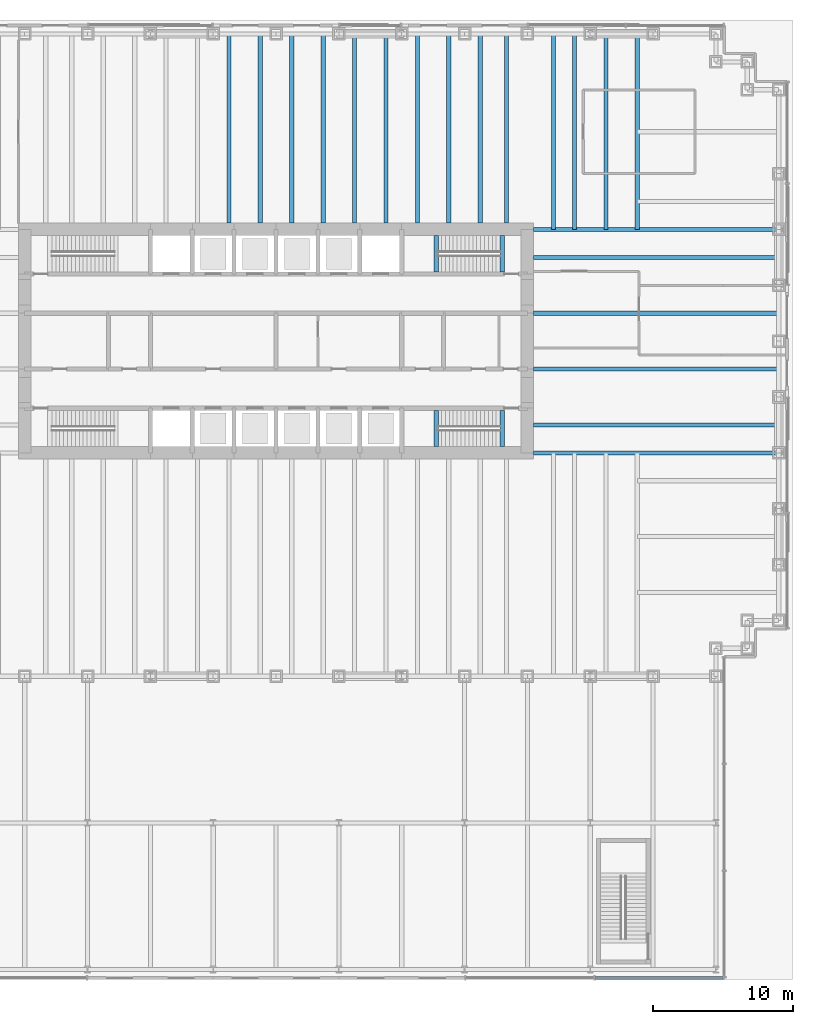
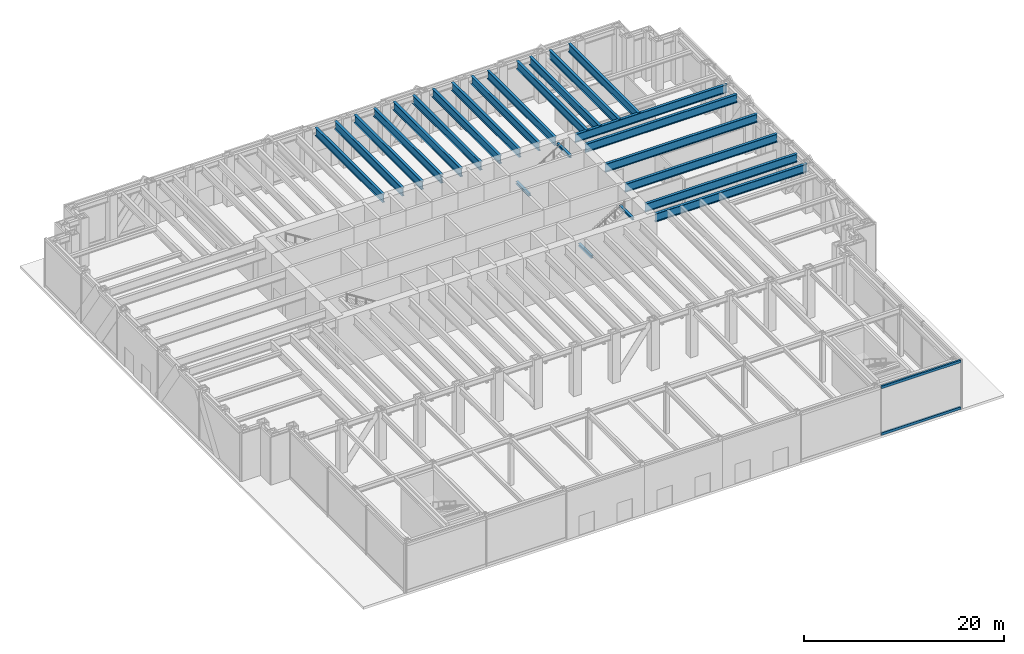
# One storey, part 5 of 17: 24 beams, 2 members, 1 element without a shape of its own.
"""IFC4 building model written with IfcOpenShell, lengths in metres."""

from ifc_helpers import new_model, si_unit, direction, frame, origin, origin_2d, place, context, subcontext, project, spatial, rectangle, i_section, extrude, material, material_profile, profile_set, type_object, element, aggregate, save


model = new_model("IFC4")

# Units and contexts
model_context = context("Model", 3, precision=1e-05, world=origin(), true_north=direction((0.0, 1.0)))
body_context = subcontext(model_context, "Body", "Model", "MODEL_VIEW")
ifc_project = project(units=[si_unit("LENGTHUNIT", "METRE"), si_unit("AREAUNIT", "SQUARE_METRE"), si_unit("VOLUMEUNIT", "CUBIC_METRE"), si_unit("PLANEANGLEUNIT", "RADIAN"), si_unit("MASSUNIT", "GRAM", prefix="KILO")], contexts=[model_context])

# Site, building, storey
site_placement = place(None, origin())
site = spatial("IfcSite", under=ifc_project, at=site_placement, CompositionType="ELEMENT")
building_placement = place(site_placement, origin())
building = spatial("IfcBuilding", under=site, at=building_placement, Name="Rheinbord Bourse Tower", CompositionType="ELEMENT")
storey_placement = place(building_placement, origin())
storey = spatial("IfcBuildingStorey", under=building, at=storey_placement, Name="L00", CompositionType="ELEMENT", Elevation=0.0)

# Curtain wall, members
ifc_material_1 = material(Name="Dark glass and black aluminium", Category="aluminium")
curtain_wall_type = type_object("IfcCurtainWallType", Name="CW4 DARK GLASS CURTAIN WALL", PredefinedType="USERDEFINED", material=ifc_material_1)
curtain_wall_placement = place(storey_placement, origin())
curtain_wall = element("IfcCurtainWall", 1, at=curtain_wall_placement, inside=storey, type_object=curtain_wall_type, Name="Curtain wall CW4 S L00", ObjectType="UNITISED CURTAIN WALL", PredefinedType="USERDEFINED")
ifc_material_2 = material(Name="Black anodised aluminium", Category="aluminium")
ifc_material_profile_1 = material_profile(ifc_material_2, rectangle(XDim=0.199951171875, YDim=0.300048828125, at=origin_2d()), Name="CW4 TRANSOM 300x200")
ifc_profile_set_1 = profile_set([ifc_material_profile_1], Name="Black anodised aluminium")
member_type = type_object("IfcMemberType", Name="CW4 BLACK TRANSOM", PredefinedType="USERDEFINED", material=ifc_profile_set_1)
member_1_placement = place(storey_placement, frame((58.844970703125, -21.60009765625, 0.14990234375), z_axis=(1.0, 0.0, 0.0), x_axis=(0.0, 1.0, 0.0)))
member_1 = element("IfcMember", 2, at=member_1_placement, type_object=member_type, Name="CW4 transom 2.1", ObjectType="TRANSOM", PredefinedType="USERDEFINED", context=body_context, shape_type="SweptSolid", body=[
    extrude(rectangle(XDim=0.199951171875, YDim=0.300048828125, at=origin_2d()), origin(), (0.0, 0.0, 1.0), 9.1650390625),
])
member_2_placement = place(storey_placement, frame((58.844970703125, -21.60009765625, 5.85009765625), z_axis=(1.0, 0.0, 0.0), x_axis=(0.0, 1.0, 0.0)))
member_2 = element("IfcMember", 3, at=member_2_placement, type_object=member_type, Name="CW4 transom 2.2", ObjectType="TRANSOM", PredefinedType="USERDEFINED", context=body_context, shape_type="SweptSolid", body=[
    extrude(rectangle(XDim=0.199951171875, YDim=0.300048828125, at=origin_2d()), origin(), (0.0, 0.0, 1.0), 9.1650390625),
])
aggregate(curtain_wall, [member_1, member_2])

# Beams
ifc_material_3 = material(Name="Steel S460", Category="steel")
ifc_material_profile_2 = material_profile(ifc_material_3, i_section(OverallWidth=0.302001953125, OverallDepth=1.008056640625, WebThickness=0.02099609375, FlangeThickness=0.0400390625, at=origin_2d()), Name="HEM 1000")
ifc_profile_set_2 = profile_set([ifc_material_profile_2], Name="Steel S460")
beam_type_1 = type_object("IfcBeamType", Name="END BEAM HEM 1000", PredefinedType="BEAM", material=ifc_profile_set_2)
for number, where, z_axis, x_axis, name in (
    (4, (54.449951171875, 18.0, 5.31591796875), (1.0, 0.0, 0.0), (0.0, 1.0, 0.0), "End beam east 18 L01"),
    (5, (54.449951171875, 22.0, 5.31591796875), (1.0, 0.0, 0.0), (0.0, 1.0, 0.0), "End beam east 22 L01"),
    (6, (54.449951171875, 26.0, 5.31591796875), (1.0, 0.0, 0.0), (0.0, 1.0, 0.0), "End beam east 26 L01"),
    (7, (54.449951171875, 30.0, 5.31591796875), (1.0, 0.0, 0.0), (0.0, 1.0, 0.0), "End beam east 30 L01"),
):
    element("IfcBeam", number, at=place(storey_placement, frame(where, z_axis=z_axis, x_axis=x_axis)), inside=storey, type_object=beam_type_1, Name=name, PredefinedType="BEAM", context=body_context, shape_type="SweptSolid", body=[
        extrude(i_section(OverallWidth=0.302001953125, OverallDepth=1.008056640625, WebThickness=0.02099609375, FlangeThickness=0.0400390625, at=origin_2d()), origin(), (0.0, 0.0, 1.0), 17.550048828125),
    ])
ifc_material_4 = material(Name="Steel S460", Category="steel")
ifc_material_profile_3 = material_profile(ifc_material_4, i_section(OverallWidth=0.302001953125, OverallDepth=1.008056640625, WebThickness=0.02099609375, FlangeThickness=0.0400390625, at=origin_2d()), Name="HEM 1000")
ifc_profile_set_3 = profile_set([ifc_material_profile_3], Name="Steel S460")
beam_type_2 = type_object("IfcBeamType", Name="FLOOR BEAM HEM 1000", PredefinedType="BEAM", material=ifc_profile_set_3)
for number, where, z_axis, x_axis, name in (
    (8, (32.625, 46.0, 5.31591796875), (0.0, -1.0, 0.0), (1.0, 0.0, 0.0), "Floor beam N-31.5a L01"),
    (9, (34.875, 46.0, 5.31591796875), (0.0, -1.0, 0.0), (1.0, 0.0, 0.0), "Floor beam N-31.5b L01"),
    (10, (37.125, 46.0, 5.31591796875), (0.0, -1.0, 0.0), (1.0, 0.0, 0.0), "Floor beam N-36a L01"),
    (11, (39.375, 46.0, 5.31591796875), (0.0, -1.0, 0.0), (1.0, 0.0, 0.0), "Floor beam N-36b L01"),
    (12, (41.625, 46.0, 5.31591796875), (0.0, -1.0, 0.0), (1.0, 0.0, 0.0), "Floor beam N-40.5a L01"),
    (13, (43.875, 46.0, 5.31591796875), (0.0, -1.0, 0.0), (1.0, 0.0, 0.0), "Floor beam N-40.5b L01"),
    (14, (46.125, 46.0, 5.31591796875), (0.0, -1.0, 0.0), (1.0, 0.0, 0.0), "Floor beam N-45a L01"),
    (15, (48.375, 46.0, 5.31591796875), (0.0, -1.0, 0.0), (1.0, 0.0, 0.0), "Floor beam N-45b L01"),
    (16, (50.625, 46.0, 5.31591796875), (0.0, -1.0, 0.0), (1.0, 0.0, 0.0), "Floor beam N-49.5a L01"),
    (17, (52.5, 46.0, 5.31591796875), (0.0, -1.0, 0.0), (1.0, 0.0, 0.0), "Floor beam N-49.5b L01"),
):
    element("IfcBeam", number, at=place(storey_placement, frame(where, z_axis=z_axis, x_axis=x_axis)), inside=storey, type_object=beam_type_2, Name=name, PredefinedType="BEAM", context=body_context, shape_type="SweptSolid", body=[
        extrude(i_section(OverallWidth=0.302001953125, OverallDepth=1.008056640625, WebThickness=0.02099609375, FlangeThickness=0.0400390625, at=origin_2d()), origin(), (0.0, 0.0, 1.0), 13.550048828125),
    ])
for number, where, z_axis, x_axis, name in (
    (18, (55.875, 46.0, 5.31591796875), (0.0, -1.0, 0.0), (1.0, 0.0, 0.0), "Floor beam N-54a L01"),
    (19, (57.375, 46.0, 5.31591796875), (0.0, -1.0, 0.0), (1.0, 0.0, 0.0), "Floor beam N-54b L01"),
    (20, (59.625, 46.0, 5.31591796875), (0.0, -1.0, 0.0), (1.0, 0.0, 0.0), "Floor beam N-58.5a L01"),
    (21, (61.875, 46.0, 5.31591796875), (0.0, -1.0, 0.0), (1.0, 0.0, 0.0), "Floor beam N-58.5b L01"),
):
    element("IfcBeam", number, at=place(storey_placement, frame(where, z_axis=z_axis, x_axis=x_axis)), inside=storey, type_object=beam_type_2, Name=name, PredefinedType="BEAM", context=body_context, shape_type="SweptSolid", body=[
        extrude(i_section(OverallWidth=0.302001953125, OverallDepth=1.008056640625, WebThickness=0.02099609375, FlangeThickness=0.0400390625, at=origin_2d()), origin(), (0.0, 0.0, 1.0), 14.0),
    ])
ifc_material_5 = material(Name="Steel S460", Category="steel")
ifc_material_profile_4 = material_profile(ifc_material_5, i_section(OverallWidth=0.302001953125, OverallDepth=1.008056640625, WebThickness=0.02099609375, FlangeThickness=0.0400390625, at=origin_2d()), Name="HEM 1000")
ifc_profile_set_4 = profile_set([ifc_material_profile_4], Name="Steel S460")
beam_type_3 = type_object("IfcBeamType", Name="GIRDER HEM 1000", PredefinedType="BEAM", material=ifc_profile_set_4)
for number, where, z_axis, x_axis, name in (
    (22, (54.449951171875, 16.0, 5.31591796875), (1.0, 0.0, 0.0), (0.0, 1.0, 0.0), "Girder east 16 L01"),
    (23, (54.449951171875, 32.0, 5.31591796875), (1.0, 0.0, 0.0), (0.0, 1.0, 0.0), "Girder east 32 L01"),
):
    element("IfcBeam", number, at=place(storey_placement, frame(where, z_axis=z_axis, x_axis=x_axis)), inside=storey, type_object=beam_type_3, Name=name, PredefinedType="BEAM", context=body_context, shape_type="SweptSolid", body=[
        extrude(i_section(OverallWidth=0.302001953125, OverallDepth=1.008056640625, WebThickness=0.02099609375, FlangeThickness=0.0400390625, at=origin_2d()), origin(), (0.0, 0.0, 1.0), 17.550048828125),
    ])
ifc_material_6 = material(Name="Steel S460", Category="steel")
ifc_material_profile_5 = material_profile(ifc_material_6, i_section(OverallWidth=0.300048828125, OverallDepth=0.300048828125, WebThickness=0.010986328125, FlangeThickness=0.01904296875, at=origin_2d()), Name="HEB 300")
ifc_profile_set_5 = profile_set([ifc_material_profile_5], Name="Steel S460")
beam_type_4 = type_object("IfcBeamType", Name="LANDING TRIMMER HEB 300", PredefinedType="BEAM", material=ifc_profile_set_5)
for number, where, z_axis, x_axis, name in (
    (24, (47.469970703125, 16.449951171875, 2.64990234375), (0.0, 1.0, 0.0), (-1.0, 0.0, 0.0), "Landing trimmer ST3 L00"),
    (25, (52.199951171875, 16.449951171875, 5.669921875), (0.0, 1.0, 0.0), (-1.0, 0.0, 0.0), "Well trimmer ST3 under L01"),
    (26, (47.469970703125, 28.949951171875, 2.64990234375), (0.0, 1.0, 0.0), (-1.0, 0.0, 0.0), "Landing trimmer ST4 L00"),
    (27, (52.199951171875, 28.949951171875, 5.669921875), (0.0, 1.0, 0.0), (-1.0, 0.0, 0.0), "Well trimmer ST4 under L01"),
):
    element("IfcBeam", number, at=place(storey_placement, frame(where, z_axis=z_axis, x_axis=x_axis)), inside=storey, type_object=beam_type_4, Name=name, PredefinedType="BEAM", context=body_context, shape_type="SweptSolid", body=[
        extrude(i_section(OverallWidth=0.300048828125, OverallDepth=0.300048828125, WebThickness=0.010986328125, FlangeThickness=0.01904296875, at=origin_2d()), origin(), (0.0, 0.0, 1.0), 2.60009765625),
    ])

save(model, "model.ifc")
